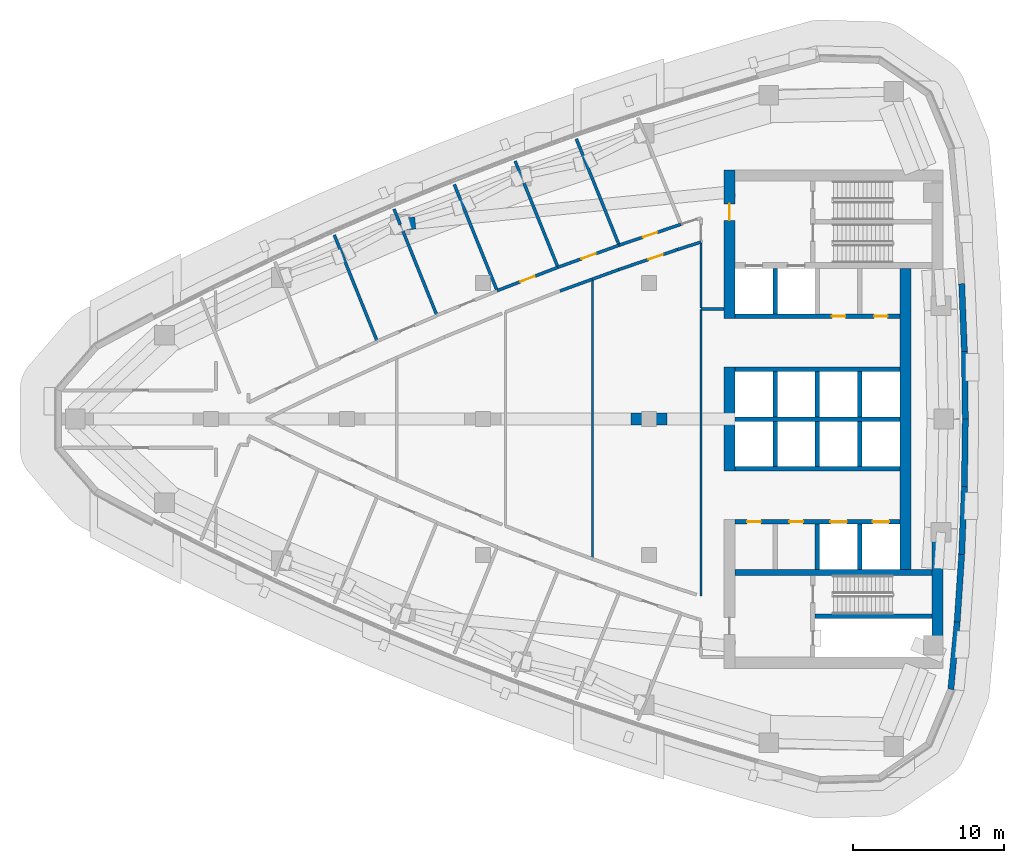
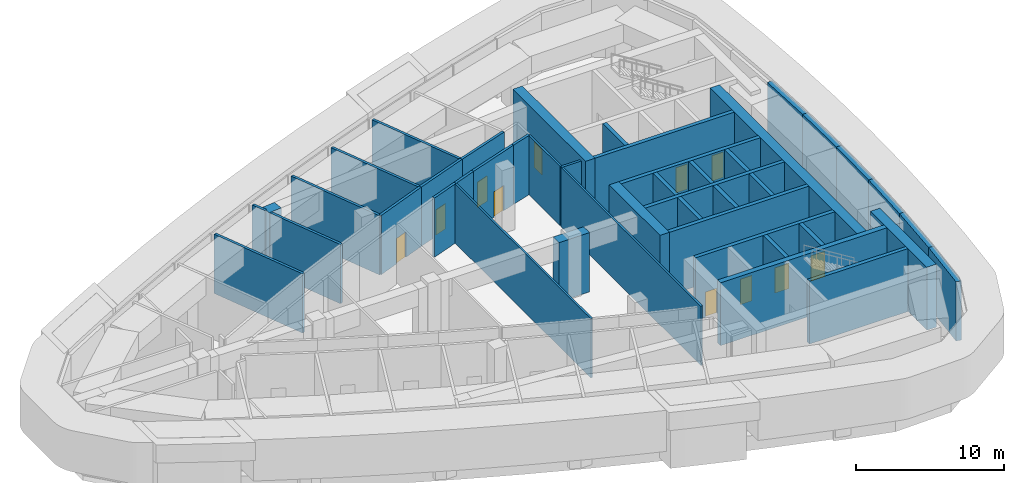
# One storey, part 11 of 17: 45 walls, 11 doors, 11 openings.
"""IFC4 building model written with IfcOpenShell, lengths in metres."""

from ifc_helpers import new_model, si_unit, direction, frame, frame_2d, origin, place, context, subcontext, project, spatial, polyline, rectangle, outline, extrude, material, layer, layer_set, type_object, element, fill, save


model = new_model("IFC4")

# Units and contexts
model_context = context("Model", 3, precision=1e-05, world=origin(), true_north=direction((0.0, 1.0)))
body_context = subcontext(model_context, "Body", "Model", "MODEL_VIEW")
ifc_project = project(units=[si_unit("LENGTHUNIT", "METRE"), si_unit("AREAUNIT", "SQUARE_METRE"), si_unit("VOLUMEUNIT", "CUBIC_METRE"), si_unit("PLANEANGLEUNIT", "RADIAN"), si_unit("MASSUNIT", "GRAM", prefix="KILO")], contexts=[model_context])

# Site, building, storey
site_placement = place(None, origin())
site = spatial("IfcSite", under=ifc_project, at=site_placement, CompositionType="ELEMENT")
building_placement = place(site_placement, origin())
building = spatial("IfcBuilding", under=site, at=building_placement, Name="Ostrand Prow Hotel Tower", CompositionType="ELEMENT")
storey_placement = place(building_placement, frame((0.0, 0.0, 211.0)))
storey = spatial("IfcBuildingStorey", under=building, at=storey_placement, Name="L53", CompositionType="ELEMENT", Elevation=211.0)

# Walls
ifc_material_1 = material(Name="Concrete C60/75", Category="concrete")
ifc_layer_1 = layer(ifc_material_1, 0.300048828125)
ifc_layer_set_1 = layer_set([ifc_layer_1], Name="Concrete C60/75")
wall_type_1 = type_object("IfcWallType", Name="Core wall 300 C60/75", PredefinedType="SHEAR", material=ifc_layer_set_1)
for number, where, z_axis, x_axis, name in (
    (1, (50.699951171875, 0.0, 0.0), (0.0, 0.0, 1.0), (1.0, 0.0, 0.0), "Core wall PW-C"),
    (2, (50.699951171875, 3.300048828125, 0.0), (0.0, 0.0, 1.0), (1.0, 0.0, 0.0), "Core wall PW-L1-N"),
):
    element("IfcWall", number, at=place(storey_placement, frame(where, z_axis=z_axis, x_axis=x_axis)), inside=storey, type_object=wall_type_1, Name=name, PredefinedType="SHEAR", context=body_context, shape_type="SweptSolid", body=[
        extrude(rectangle(XDim=10.900146484375, YDim=0.300048828125, at=frame_2d((5.4501953125, 0.0))), origin(), (0.0, 0.0, 1.0), 5.199951171875),
    ])

# Wall, openings, doors
wall_1_placement = place(storey_placement, frame((50.699951171875, 6.800048828125, 0.0), z_axis=(0.0, 0.0, 1.0), x_axis=(1.0, 0.0, 0.0)))
wall_1 = element("IfcWall", 3, at=wall_1_placement, inside=storey, type_object=wall_type_1, Name="Core wall PW-L2-N", PredefinedType="SHEAR", context=body_context, shape_type="SweptSolid", body=[
    extrude(rectangle(XDim=10.900146484375, YDim=0.300048828125, at=frame_2d((5.4501953125, 0.0))), origin(), (0.0, 0.0, 1.0), 5.199951171875),
])
opening_1_placement = place(wall_1_placement, frame((6.39990234375, 0.0, 0.0)))
opening_1 = element("IfcOpeningElement", 4, at=opening_1_placement, cuts=wall_1, Name="Opening FD2", PredefinedType="OPENING", context=body_context, shape_type="SweptSolid", body=[
    extrude(rectangle(XDim=0.89990234375, YDim=2.10009765625, at=frame_2d((0.449951171875, 1.050048828125))), frame((0.0, 0.159912109375, 0.0), z_axis=(0.0, -1.0, 0.0), x_axis=(1.0, 0.0, 0.0)), (0.0, 0.0, 1.0), 0.320068359375),
])
opening_2_placement = place(wall_1_placement, frame((9.199951171875, 0.0, 0.0)))
opening_2 = element("IfcOpeningElement", 5, at=opening_2_placement, cuts=wall_1, Name="Opening FD2", PredefinedType="OPENING", context=body_context, shape_type="SweptSolid", body=[
    extrude(rectangle(XDim=0.89990234375, YDim=2.10009765625, at=frame_2d((0.449951171875, 1.050048828125))), frame((0.0, 0.159912109375, 0.0), z_axis=(0.0, -1.0, 0.0), x_axis=(1.0, 0.0, 0.0)), (0.0, 0.0, 1.0), 0.320068359375),
])
ifc_material_2 = material(Name="Steel fire door", Category="steel")
door_type_1 = type_object("IfcDoorType", Name="Fire door 900 EI120", OperationType="SINGLE_SWING_LEFT", PredefinedType="DOOR", material=ifc_material_2)
door_1_placement = place(opening_1_placement, origin())
door_1 = element("IfcDoor", 6, at=door_1_placement, inside=storey, type_object=door_type_1, Name="DOOR", OperationType="SINGLE_SWING_LEFT", OverallHeight=2.10009765625, OverallWidth=0.89990234375, PredefinedType="DOOR", context=body_context, shape_type="SweptSolid", body=[
    extrude(rectangle(XDim=0.89990234375, YDim=2.10009765625, at=frame_2d((0.449951171875, 1.050048828125))), frame((0.0, 0.02490234375, 0.0), z_axis=(0.0, -1.0, 0.0), x_axis=(1.0, 0.0, 0.0)), (0.0, 0.0, 1.0), 0.050048828125),
])
fill(opening_1, door_1)
door_2_placement = place(opening_2_placement, origin())
door_2 = element("IfcDoor", 7, at=door_2_placement, inside=storey, type_object=door_type_1, Name="DOOR", OperationType="SINGLE_SWING_LEFT", OverallHeight=2.10009765625, OverallWidth=0.89990234375, PredefinedType="DOOR", context=body_context, shape_type="SweptSolid", body=[
    extrude(rectangle(XDim=0.89990234375, YDim=2.10009765625, at=frame_2d((0.449951171875, 1.050048828125))), frame((0.0, 0.02490234375, 0.0), z_axis=(0.0, -1.0, 0.0), x_axis=(1.0, 0.0, 0.0)), (0.0, 0.0, 1.0), 0.050048828125),
])
fill(opening_2, door_2)

# Walls
for number, where, z_axis, x_axis, name in (
    (8, (53.35009765625, 0.14990234375, 0.0), (0.0, 0.0, 1.0), (0.0, 1.0, 0.0), "Core wall PW-R1-NB"),
    (9, (53.35009765625, 6.949951171875, 0.0), (0.0, 0.0, 1.0), (0.0, 1.0, 0.0), "Core wall PW-R1-NA"),
    (10, (56.14990234375, 0.14990234375, 0.0), (0.0, 0.0, 1.0), (0.0, 1.0, 0.0), "Core wall PW-R2-NB"),
    (11, (58.949951171875, 0.14990234375, 0.0), (0.0, 0.0, 1.0), (0.0, 1.0, 0.0), "Core wall PW-R3-NB"),
):
    element("IfcWall", number, at=place(storey_placement, frame(where, z_axis=z_axis, x_axis=x_axis)), inside=storey, type_object=wall_type_1, Name=name, PredefinedType="SHEAR", context=body_context, shape_type="SweptSolid", body=[
        extrude(rectangle(XDim=3.0, YDim=0.300048828125, at=frame_2d((1.5, 0.0))), origin(), (0.0, 0.0, 1.0), 5.199951171875),
    ])
wall_2_placement = place(storey_placement, frame((50.699951171875, -3.300048828125, 0.0), z_axis=(0.0, 0.0, 1.0), x_axis=(1.0, 0.0, 0.0)))
element("IfcWall", 12, at=wall_2_placement, inside=storey, type_object=wall_type_1, Name="Core wall PW-L1-S", PredefinedType="SHEAR", context=body_context, shape_type="SweptSolid", body=[
    extrude(rectangle(XDim=10.900146484375, YDim=0.300048828125, at=frame_2d((5.4501953125, 0.0))), origin(), (0.0, 0.0, 1.0), 5.199951171875),
])

# Wall, openings, doors
wall_3_placement = place(storey_placement, frame((50.699951171875, -6.800048828125, 0.0), z_axis=(0.0, 0.0, 1.0), x_axis=(1.0, 0.0, 0.0)))
wall_3 = element("IfcWall", 13, at=wall_3_placement, inside=storey, type_object=wall_type_1, Name="Core wall PW-L2-S", PredefinedType="SHEAR", context=body_context, shape_type="SweptSolid", body=[
    extrude(rectangle(XDim=10.900146484375, YDim=0.300048828125, at=frame_2d((5.4501953125, 0.0))), origin(), (0.0, 0.0, 1.0), 5.199951171875),
])
opening_3_placement = place(wall_3_placement, frame((6.300048828125, 0.0, 0.0)))
opening_3 = element("IfcOpeningElement", 14, at=opening_3_placement, cuts=wall_3, Name="Opening LD", PredefinedType="OPENING", context=body_context, shape_type="SweptSolid", body=[
    extrude(rectangle(XDim=1.10009765625, YDim=2.10009765625, at=frame_2d((0.550048828125, 1.050048828125))), frame((0.0, 0.159912109375, 0.0), z_axis=(0.0, -1.0, 0.0), x_axis=(1.0, 0.0, 0.0)), (0.0, 0.0, 1.0), 0.320068359375),
])
opening_4_placement = place(wall_3_placement, frame((9.10009765625, 0.0, 0.0)))
opening_4 = element("IfcOpeningElement", 15, at=opening_4_placement, cuts=wall_3, Name="Opening LD", PredefinedType="OPENING", context=body_context, shape_type="SweptSolid", body=[
    extrude(rectangle(XDim=1.10009765625, YDim=2.10009765625, at=frame_2d((0.550048828125, 1.050048828125))), frame((0.0, 0.159912109375, 0.0), z_axis=(0.0, -1.0, 0.0), x_axis=(1.0, 0.0, 0.0)), (0.0, 0.0, 1.0), 0.320068359375),
])
opening_5_placement = place(wall_3_placement, frame((0.800048828125, 0.0, 0.0)))
opening_5 = element("IfcOpeningElement", 16, at=opening_5_placement, cuts=wall_3, Name="Opening FD2", PredefinedType="OPENING", context=body_context, shape_type="SweptSolid", body=[
    extrude(rectangle(XDim=0.89990234375, YDim=2.10009765625, at=frame_2d((0.449951171875, 1.050048828125))), frame((0.0, 0.159912109375, 0.0), z_axis=(0.0, -1.0, 0.0), x_axis=(1.0, 0.0, 0.0)), (0.0, 0.0, 1.0), 0.320068359375),
])
opening_6_placement = place(wall_3_placement, frame((3.60009765625, 0.0, 0.0)))
opening_6 = element("IfcOpeningElement", 17, at=opening_6_placement, cuts=wall_3, Name="Opening FD2", PredefinedType="OPENING", context=body_context, shape_type="SweptSolid", body=[
    extrude(rectangle(XDim=0.89990234375, YDim=2.10009765625, at=frame_2d((0.449951171875, 1.050048828125))), frame((0.0, 0.159912109375, 0.0), z_axis=(0.0, -1.0, 0.0), x_axis=(1.0, 0.0, 0.0)), (0.0, 0.0, 1.0), 0.320068359375),
])
door_3_placement = place(opening_5_placement, origin())
door_3 = element("IfcDoor", 18, at=door_3_placement, inside=storey, type_object=door_type_1, Name="DOOR", OperationType="SINGLE_SWING_LEFT", OverallHeight=2.10009765625, OverallWidth=0.89990234375, PredefinedType="DOOR", context=body_context, shape_type="SweptSolid", body=[
    extrude(rectangle(XDim=0.89990234375, YDim=2.10009765625, at=frame_2d((0.449951171875, 1.050048828125))), frame((0.0, 0.02490234375, 0.0), z_axis=(0.0, -1.0, 0.0), x_axis=(1.0, 0.0, 0.0)), (0.0, 0.0, 1.0), 0.050048828125),
])
fill(opening_5, door_3)
door_4_placement = place(opening_6_placement, origin())
door_4 = element("IfcDoor", 19, at=door_4_placement, inside=storey, type_object=door_type_1, Name="DOOR", OperationType="SINGLE_SWING_LEFT", OverallHeight=2.10009765625, OverallWidth=0.89990234375, PredefinedType="DOOR", context=body_context, shape_type="SweptSolid", body=[
    extrude(rectangle(XDim=0.89990234375, YDim=2.10009765625, at=frame_2d((0.449951171875, 1.050048828125))), frame((0.0, 0.02490234375, 0.0), z_axis=(0.0, -1.0, 0.0), x_axis=(1.0, 0.0, 0.0)), (0.0, 0.0, 1.0), 0.050048828125),
])
fill(opening_6, door_4)
ifc_material_3 = material(Name="Stainless steel door", Category="steel")
door_type_2 = type_object("IfcDoorType", Name="Lift landing door 1100", OperationType="DOUBLE_DOOR_SLIDING", PredefinedType="DOOR", material=ifc_material_3)
door_5_placement = place(opening_3_placement, origin())
door_5 = element("IfcDoor", 20, at=door_5_placement, inside=storey, type_object=door_type_2, Name="LIFT LANDING DOOR", OperationType="DOUBLE_DOOR_SLIDING", OverallHeight=2.10009765625, OverallWidth=1.10009765625, PredefinedType="DOOR", context=body_context, shape_type="SweptSolid", body=[
    extrude(rectangle(XDim=1.10009765625, YDim=2.10009765625, at=frame_2d((0.550048828125, 1.050048828125))), frame((0.0, 0.02490234375, 0.0), z_axis=(0.0, -1.0, 0.0), x_axis=(1.0, 0.0, 0.0)), (0.0, 0.0, 1.0), 0.050048828125),
])
fill(opening_3, door_5)
door_6_placement = place(opening_4_placement, origin())
door_6 = element("IfcDoor", 21, at=door_6_placement, inside=storey, type_object=door_type_2, Name="LIFT LANDING DOOR", OperationType="DOUBLE_DOOR_SLIDING", OverallHeight=2.10009765625, OverallWidth=1.10009765625, PredefinedType="DOOR", context=body_context, shape_type="SweptSolid", body=[
    extrude(rectangle(XDim=1.10009765625, YDim=2.10009765625, at=frame_2d((0.550048828125, 1.050048828125))), frame((0.0, 0.02490234375, 0.0), z_axis=(0.0, -1.0, 0.0), x_axis=(1.0, 0.0, 0.0)), (0.0, 0.0, 1.0), 0.050048828125),
])
fill(opening_4, door_6)

# Walls
for number, where, z_axis, x_axis, name in (
    (22, (53.35009765625, -3.14990234375, 0.0), (0.0, 0.0, 1.0), (0.0, 1.0, 0.0), "Core wall PW-R1-SB"),
    (23, (56.14990234375, -3.14990234375, 0.0), (0.0, 0.0, 1.0), (0.0, 1.0, 0.0), "Core wall PW-R2-SB"),
    (24, (56.14990234375, -9.949951171875, 0.0), (0.0, 0.0, 1.0), (0.0, 1.0, 0.0), "Core wall PW-R2-SA"),
    (25, (58.949951171875, -3.14990234375, 0.0), (0.0, 0.0, 1.0), (0.0, 1.0, 0.0), "Core wall PW-R3-SB"),
    (26, (58.949951171875, -9.949951171875, 0.0), (0.0, 0.0, 1.0), (0.0, 1.0, 0.0), "Core wall PW-R3-SA"),
):
    element("IfcWall", number, at=place(storey_placement, frame(where, z_axis=z_axis, x_axis=x_axis)), inside=storey, type_object=wall_type_1, Name=name, PredefinedType="SHEAR", context=body_context, shape_type="SweptSolid", body=[
        extrude(rectangle(XDim=3.0, YDim=0.300048828125, at=frame_2d((1.5, 0.0))), origin(), (0.0, 0.0, 1.0), 5.199951171875),
    ])
wall_4_placement = place(storey_placement, frame((56.0, -13.050048828125, 0.0), z_axis=(0.0, 0.0, 1.0), x_axis=(1.0, 0.0, 0.0)))
element("IfcWall", 27, at=wall_4_placement, inside=storey, type_object=wall_type_1, Name="Core wall PW-ST2R", PredefinedType="SHEAR", context=body_context, shape_type="SweptSolid", body=[
    extrude(rectangle(XDim=7.719970703125, YDim=0.300048828125, at=frame_2d((3.85986328125, 0.0))), origin(), (0.0, 0.0, 1.0), 5.199951171875),
])
ifc_material_4 = material(Name="Concrete C60/75", Category="concrete")
ifc_layer_2 = layer(ifc_material_4, 0.39990234375)
ifc_layer_set_2 = layer_set([ifc_layer_2], Name="Concrete C60/75")
wall_type_2 = type_object("IfcWallType", Name="Core wall 400 C60/75", PredefinedType="SHEAR", material=ifc_layer_set_2)
wall_5_placement = place(storey_placement, frame((50.699951171875, -10.14990234375, 0.0), z_axis=(0.0, 0.0, 1.0), x_axis=(1.0, 0.0, 0.0)))
element("IfcWall", 28, at=wall_5_placement, inside=storey, type_object=wall_type_2, Name="Core wall PW-BS", PredefinedType="SHEAR", context=body_context, shape_type="SweptSolid", body=[
    extrude(rectangle(XDim=13.02001953125, YDim=0.39990234375, at=frame_2d((6.510009765625, 0.0))), origin(), (0.0, 0.0, 1.0), 5.199951171875),
])

# Wall, opening, door
ifc_material_5 = material(Name="Concrete C60/75", Category="concrete")
ifc_layer_3 = layer(ifc_material_5, 0.75)
ifc_layer_set_3 = layer_set([ifc_layer_3], Name="Concrete C60/75")
wall_type_3 = type_object("IfcWallType", Name="Core wall 750 C60/75", PredefinedType="SHEAR", material=ifc_layer_set_3)
wall_6_placement = place(storey_placement, frame((50.324951171875, 6.64990234375, 0.0), z_axis=(0.0, 0.0, 1.0), x_axis=(0.0, 1.0, 0.0)))
wall_6 = element("IfcWall", 29, at=wall_6_placement, inside=storey, type_object=wall_type_3, Name="Core wall CW-W-N", PredefinedType="SHEAR", context=body_context, shape_type="SweptSolid", body=[
    extrude(rectangle(XDim=9.85009765625, YDim=0.75, at=frame_2d((4.925048828125, 0.0))), origin(), (0.0, 0.0, 1.0), 5.199951171875),
])
opening_7_placement = place(wall_6_placement, frame((6.5, 0.0, 0.0)))
opening_7 = element("IfcOpeningElement", 30, at=opening_7_placement, cuts=wall_6, Name="Opening FD1", PredefinedType="OPENING", context=body_context, shape_type="SweptSolid", body=[
    extrude(rectangle(XDim=1.10009765625, YDim=2.10009765625, at=frame_2d((0.550048828125, 1.050048828125))), frame((0.0, 0.385009765625, 0.0), z_axis=(0.0, -1.0, 0.0), x_axis=(1.0, 0.0, 0.0)), (0.0, 0.0, 1.0), 0.77001953125),
])
ifc_material_6 = material(Name="Steel fire door", Category="steel")
door_type_3 = type_object("IfcDoorType", Name="Fire door 1100 EI120", OperationType="SINGLE_SWING_RIGHT", PredefinedType="DOOR", material=ifc_material_6)
door_7_placement = place(opening_7_placement, origin())
door_7 = element("IfcDoor", 31, at=door_7_placement, inside=storey, type_object=door_type_3, Name="FIRE DOOR", OperationType="SINGLE_SWING_RIGHT", OverallHeight=2.10009765625, OverallWidth=1.10009765625, PredefinedType="DOOR", context=body_context, shape_type="SweptSolid", body=[
    extrude(rectangle(XDim=1.10009765625, YDim=2.10009765625, at=frame_2d((0.550048828125, 1.050048828125))), frame((0.0, 0.02490234375, 0.0), z_axis=(0.0, -1.0, 0.0), x_axis=(1.0, 0.0, 0.0)), (0.0, 0.0, 1.0), 0.050048828125),
])
fill(opening_7, door_7)

# Walls
wall_7_placement = place(storey_placement, frame((50.324951171875, -3.449951171875, 0.0), z_axis=(0.0, 0.0, 1.0), x_axis=(0.0, 1.0, 0.0)))
element("IfcWall", 32, at=wall_7_placement, inside=storey, type_object=wall_type_3, Name="Core wall CW-W-C", PredefinedType="SHEAR", context=body_context, shape_type="SweptSolid", body=[
    extrude(rectangle(XDim=6.89990234375, YDim=0.75, at=frame_2d((3.449951171875, 0.0))), origin(), (0.0, 0.0, 1.0), 5.199951171875),
])
wall_8_placement = place(storey_placement, frame((64.094970703125, -15.75, 0.0), z_axis=(0.0, 0.0, 1.0), x_axis=(0.0, 1.0, 0.0)))
element("IfcWall", 33, at=wall_8_placement, inside=storey, type_object=wall_type_3, Name="Core wall CW-E-S", PredefinedType="SHEAR", context=body_context, shape_type="SweptSolid", body=[
    extrude(rectangle(XDim=7.65087890625, YDim=0.75, at=frame_2d((3.825439453125, 0.0))), origin(), (0.0, 0.0, 1.0), 5.199951171875),
])
wall_9_placement = place(storey_placement, frame((61.97509765625, -9.949951171875, 0.0), z_axis=(0.0, 0.0, 1.0), x_axis=(0.0, 1.0, 0.0)))
element("IfcWall", 34, at=wall_9_placement, inside=storey, type_object=wall_type_3, Name="Core wall CW-E-C", PredefinedType="SHEAR", context=body_context, shape_type="SweptSolid", body=[
    extrude(rectangle(XDim=19.89990234375, YDim=0.75, at=frame_2d((9.949951171875, 0.0))), origin(), (0.0, 0.0, 1.0), 5.199951171875),
])
ifc_material_7 = material(Name="Concrete C60/75", Category="concrete")
ifc_layer_4 = layer(ifc_material_7, 0.800048828125)
ifc_layer_set_4 = layer_set([ifc_layer_4], Name="Concrete C60/75")
wall_type_4 = type_object("IfcWallType", Name="Outrigger wall 800 C60/75", PredefinedType="SHEAR", material=ifc_layer_set_4)
wall_10_placement = place(storey_placement, frame((43.800048828125, 0.0, 0.0), z_axis=(0.0, 0.0, 1.0), x_axis=(1.0, 0.0, 0.0)))
element("IfcWall", 35, at=wall_10_placement, inside=storey, type_object=wall_type_4, Name="Outrigger wall A5", PredefinedType="SHEAR", context=body_context, shape_type="SweptSolid", body=[
    extrude(rectangle(XDim=2.39990234375, YDim=0.800048828125, at=frame_2d((1.199951171875, 0.0))), origin(), (0.0, 0.0, 1.0), 4.89990234375),
])
wall_11_placement = place(storey_placement, frame((29.529541015625, 12.97607421875, 0.0), z_axis=(0.0, 0.0, 1.0), x_axis=(-0.9951978007, -0.097884306618, 0.0)))
element("IfcWall", 36, at=wall_11_placement, inside=storey, type_object=wall_type_4, Name="Outrigger wall DN2", PredefinedType="SHEAR", context=body_context, shape_type="SweptSolid", body=[
    extrude(rectangle(XDim=1.000244140625, YDim=0.800048828125, at=frame_2d((0.5, 0.0))), origin(), (0.0, 0.0, 1.0), 4.89990234375),
])
ifc_material_8 = material(Name="Plasterboard partition")
ifc_layer_5 = layer(ifc_material_8, 0.14990234375)
ifc_layer_set_5 = layer_set([ifc_layer_5], Name="Plasterboard partition")
wall_type_5 = type_object("IfcWallType", Name="Partition 150 room partition", PredefinedType="PARTITIONING", material=ifc_layer_set_5)
wall_12_placement = place(storey_placement, frame((41.25439453125, -9.2578125, 0.0), z_axis=(0.0, 0.0, 1.0), x_axis=(0.0, 1.0, 0.0)))
element("IfcWall", 37, at=wall_12_placement, inside=storey, type_object=wall_type_5, Name="ROOM PARTITION", PredefinedType="PARTITIONING", context=body_context, shape_type="SweptSolid", body=[
    extrude(rectangle(XDim=18.515625, YDim=0.14990234375, at=frame_2d((9.2578125, 0.0))), origin(), (0.0, 0.0, 1.0), 4.89990234375),
])
wall_13_placement = place(storey_placement, frame((48.445068359375, 11.6455078125, 0.0), z_axis=(0.0, 0.0, 1.0), x_axis=(0.0, -1.0, 0.0)))
element("IfcWall", 38, at=wall_13_placement, inside=storey, type_object=wall_type_5, Name="ROOM PARTITION", PredefinedType="PARTITIONING", context=body_context, shape_type="SweptSolid", body=[
    extrude(rectangle(XDim=4.305908203125, YDim=0.14990234375, at=frame_2d((2.15283203125, 0.0))), origin(), (0.0, 0.0, 1.0), 4.89990234375),
])
wall_14_placement = place(storey_placement, frame((48.445068359375, 7.260498046875, 0.0), z_axis=(0.0, 0.0, 1.0), x_axis=(0.0, -1.0, 0.0)))
element("IfcWall", 39, at=wall_14_placement, inside=storey, type_object=wall_type_5, Name="ROOM PARTITION", PredefinedType="PARTITIONING", context=body_context, shape_type="SweptSolid", body=[
    extrude(rectangle(XDim=18.970458984375, YDim=0.14990234375, at=frame_2d((9.4853515625, 0.0))), origin(), (0.0, 0.0, 1.0), 4.89990234375),
])

# Wall, opening, door
ifc_material_9 = material(Name="Plasterboard partition")
ifc_layer_6 = layer(ifc_material_9, 0.199951171875)
ifc_layer_set_6 = layer_set([ifc_layer_6], Name="Plasterboard partition")
wall_type_6 = type_object("IfcWallType", Name="Partition 200 corridor wall", PredefinedType="PARTITIONING", material=ifc_layer_set_6)
wall_15_placement = place(storey_placement, frame((38.972412109375, 10.044921875, 0.0), z_axis=(0.0, 0.0, 1.0), x_axis=(-0.93335728106, -0.358948723208, 0.0)))
wall_15 = element("IfcWall", 40, at=wall_15_placement, inside=storey, type_object=wall_type_6, Name="CORRIDOR WALL", PredefinedType="PARTITIONING", context=body_context, shape_type="SweptSolid", body=[
    extrude(rectangle(XDim=4.3115234375, YDim=0.199951171875, at=frame_2d((2.15576171875, 0.0))), origin(), (0.0, 0.0, 1.0), 4.89990234375),
])
opening_8_placement = place(wall_15_placement, frame((1.65576171875, 0.0, 0.0)))
opening_8 = element("IfcOpeningElement", 41, at=opening_8_placement, cuts=wall_15, Name="Opening D1", PredefinedType="OPENING", context=body_context, shape_type="SweptSolid", body=[
    extrude(rectangle(XDim=1.0, YDim=2.10009765625, at=frame_2d((0.5, 1.050048828125))), frame((0.0, 0.10986328125, 0.0), z_axis=(0.0, -1.0, 0.0), x_axis=(1.0, 0.0, 0.0)), (0.0, 0.0, 1.0), 0.219970703125),
])
ifc_material_10 = material(Name="Timber door leaf", Category="wood")
door_type_4 = type_object("IfcDoorType", Name="Guest room door 1000", OperationType="SINGLE_SWING_LEFT", PredefinedType="DOOR", material=ifc_material_10)
door_8_placement = place(opening_8_placement, origin())
door_8 = element("IfcDoor", 42, at=door_8_placement, inside=storey, type_object=door_type_4, Name="DOOR", OperationType="SINGLE_SWING_LEFT", OverallHeight=2.10009765625, OverallWidth=1.0, PredefinedType="DOOR", context=body_context, shape_type="SweptSolid", body=[
    extrude(rectangle(XDim=1.0, YDim=2.10009765625, at=frame_2d((0.5, 1.050048828125))), frame((0.0, 0.02490234375, 0.0), z_axis=(0.0, -1.0, 0.0), x_axis=(1.0, 0.0, 0.0)), (0.0, 0.0, 1.0), 0.050048828125),
])
fill(opening_8, door_8)

wall_16_placement = place(storey_placement, frame((43.02587890625, 11.50732421875, 0.0), z_axis=(0.0, 0.0, 1.0), x_axis=(-0.940653905433, -0.339367397069, 0.0)))
wall_16 = element("IfcWall", 43, at=wall_16_placement, inside=storey, type_object=wall_type_6, Name="CORRIDOR WALL", PredefinedType="PARTITIONING", context=body_context, shape_type="SweptSolid", body=[
    extrude(rectangle(XDim=4.30908203125, YDim=0.199951171875, at=frame_2d((2.154541015625, 0.0))), origin(), (0.0, 0.0, 1.0), 4.89990234375),
])
opening_9_placement = place(wall_16_placement, frame((1.65478515625, 0.0, 0.0)))
opening_9 = element("IfcOpeningElement", 44, at=opening_9_placement, cuts=wall_16, Name="Opening D1R", PredefinedType="OPENING", context=body_context, shape_type="SweptSolid", body=[
    extrude(rectangle(XDim=1.0, YDim=2.10009765625, at=frame_2d((0.5, 1.050048828125))), frame((0.0, 0.10986328125, 0.0), z_axis=(0.0, -1.0, 0.0), x_axis=(1.0, 0.0, 0.0)), (0.0, 0.0, 1.0), 0.219970703125),
])
ifc_material_11 = material(Name="Timber door leaf", Category="wood")
door_type_5 = type_object("IfcDoorType", Name="Guest room door 1000 right", OperationType="SINGLE_SWING_RIGHT", PredefinedType="DOOR", material=ifc_material_11)
door_9_placement = place(opening_9_placement, origin())
door_9 = element("IfcDoor", 45, at=door_9_placement, inside=storey, type_object=door_type_5, Name="DOOR", OperationType="SINGLE_SWING_RIGHT", OverallHeight=2.10009765625, OverallWidth=1.0, PredefinedType="DOOR", context=body_context, shape_type="SweptSolid", body=[
    extrude(rectangle(XDim=1.0, YDim=2.10009765625, at=frame_2d((0.5, 1.050048828125))), frame((0.0, 0.02490234375, 0.0), z_axis=(0.0, -1.0, 0.0), x_axis=(1.0, 0.0, 0.0)), (0.0, 0.0, 1.0), 0.050048828125),
])
fill(opening_9, door_9)

wall_17_placement = place(storey_placement, frame((47.11328125, 12.885986328125, 0.0), z_axis=(0.0, 0.0, 1.0), x_axis=(-0.947550995841, -0.319604615549, 0.0)))
wall_17 = element("IfcWall", 46, at=wall_17_placement, inside=storey, type_object=wall_type_6, Name="CORRIDOR WALL", PredefinedType="PARTITIONING", context=body_context, shape_type="SweptSolid", body=[
    extrude(rectangle(XDim=4.313720703125, YDim=0.199951171875, at=frame_2d((2.15673828125, 0.0))), origin(), (0.0, 0.0, 1.0), 4.89990234375),
])
opening_10_placement = place(wall_17_placement, frame((1.65673828125, 0.0, 0.0)))
opening_10 = element("IfcOpeningElement", 47, at=opening_10_placement, cuts=wall_17, Name="Opening D1", PredefinedType="OPENING", context=body_context, shape_type="SweptSolid", body=[
    extrude(rectangle(XDim=1.0, YDim=2.10009765625, at=frame_2d((0.5, 1.050048828125))), frame((0.0, 0.10986328125, 0.0), z_axis=(0.0, -1.0, 0.0), x_axis=(1.0, 0.0, 0.0)), (0.0, 0.0, 1.0), 0.219970703125),
])
door_10_placement = place(opening_10_placement, origin())
door_10 = element("IfcDoor", 48, at=door_10_placement, inside=storey, type_object=door_type_4, Name="DOOR", OperationType="SINGLE_SWING_LEFT", OverallHeight=2.10009765625, OverallWidth=1.0, PredefinedType="DOOR", context=body_context, shape_type="SweptSolid", body=[
    extrude(rectangle(XDim=1.0, YDim=2.10009765625, at=frame_2d((0.5, 1.050048828125))), frame((0.0, 0.02490234375, 0.0), z_axis=(0.0, -1.0, 0.0), x_axis=(1.0, 0.0, 0.0)), (0.0, 0.0, 1.0), 0.050048828125),
])
fill(opening_10, door_10)

# Wall
wall_18_placement = place(storey_placement, frame((39.115478515625, 8.4794921875, 0.0), z_axis=(0.0, 0.0, 1.0), x_axis=(0.939718239397, 0.341949748567, 0.0)))
element("IfcWall", 49, at=wall_18_placement, inside=storey, type_object=wall_type_6, Name="CORRIDOR WALL", PredefinedType="PARTITIONING", context=body_context, shape_type="SweptSolid", body=[
    extrude(rectangle(XDim=2.276123046875, YDim=0.199951171875, at=frame_2d((1.13818359375, 0.0))), origin(), (0.0, 0.0, 1.0), 4.89990234375),
])

# Wall, opening, door
wall_19_placement = place(storey_placement, frame((42.984375, 9.88720703125, 0.0), z_axis=(0.0, 0.0, 1.0), x_axis=(0.946436071896, 0.322891253852, 0.0)))
wall_19 = element("IfcWall", 50, at=wall_19_placement, inside=storey, type_object=wall_type_6, Name="CORRIDOR WALL", PredefinedType="PARTITIONING", context=body_context, shape_type="SweptSolid", body=[
    extrude(rectangle(XDim=4.116943359375, YDim=0.199951171875, at=frame_2d((2.05859375, 0.0))), origin(), (0.0, 0.0, 1.0), 4.89990234375),
])
opening_11_placement = place(wall_19_placement, frame((2.10009765625, 0.0, 0.0)))
opening_11 = element("IfcOpeningElement", 51, at=opening_11_placement, cuts=wall_19, Name="Opening D1R", PredefinedType="OPENING", context=body_context, shape_type="SweptSolid", body=[
    extrude(rectangle(XDim=1.0, YDim=2.10009765625, at=frame_2d((0.5, 1.050048828125))), frame((0.0, 0.10986328125, 0.0), z_axis=(0.0, -1.0, 0.0), x_axis=(1.0, 0.0, 0.0)), (0.0, 0.0, 1.0), 0.219970703125),
])
door_11_placement = place(opening_11_placement, origin())
door_11 = element("IfcDoor", 52, at=door_11_placement, inside=storey, type_object=door_type_5, Name="DOOR", OperationType="SINGLE_SWING_RIGHT", OverallHeight=2.10009765625, OverallWidth=1.0, PredefinedType="DOOR", context=body_context, shape_type="SweptSolid", body=[
    extrude(rectangle(XDim=1.0, YDim=2.10009765625, at=frame_2d((0.5, 1.050048828125))), frame((0.0, 0.02490234375, 0.0), z_axis=(0.0, -1.0, 0.0), x_axis=(1.0, 0.0, 0.0)), (0.0, 0.0, 1.0), 0.050048828125),
])
fill(opening_11, door_11)

# Walls
wall_20_placement = place(storey_placement, frame((46.880859375, 11.216552734375, 0.0), z_axis=(0.0, 0.0, 1.0), x_axis=(0.952752350741, 0.303748182148, 0.0)))
element("IfcWall", 53, at=wall_20_placement, inside=storey, type_object=wall_type_6, Name="CORRIDOR WALL", PredefinedType="PARTITIONING", context=body_context, shape_type="SweptSolid", body=[
    extrude(rectangle(XDim=1.64697265625, YDim=0.199951171875, at=frame_2d((0.823486328125, 0.0))), origin(), (0.0, 0.0, 1.0), 4.89990234375),
])
wall_21_placement = place(storey_placement, frame((41.25439453125, 9.2578125, 0.0), z_axis=(0.0, 0.0, 1.0), x_axis=(0.939739202383, 0.341892134313, 0.0)))
element("IfcWall", 54, at=wall_21_placement, inside=storey, type_object=wall_type_6, Name="CORRIDOR WALL", PredefinedType="PARTITIONING", context=body_context, shape_type="SweptSolid", body=[
    extrude(rectangle(XDim=1.8408203125, YDim=0.199951171875, at=frame_2d((0.92041015625, 0.0))), origin(), (0.0, 0.0, 1.0), 4.89990234375),
])
ifc_material_12 = material(Name="Plasterboard partition")
ifc_layer_7 = layer(ifc_material_12, 0.199951171875)
ifc_layer_set_7 = layer_set([ifc_layer_7], Name="Plasterboard partition")
wall_type_7 = type_object("IfcWallType", Name="Partition 200 key partition", PredefinedType="PARTITIONING", material=ifc_layer_set_7)
wall_22_placement = place(storey_placement, frame((27.01171875, 5.1328125, 0.0), z_axis=(0.0, 0.0, 1.0), x_axis=(-0.373913547423, 0.927463562116, 0.0)))
element("IfcWall", 55, at=wall_22_placement, inside=storey, type_object=wall_type_7, Name="KEY PARTITION", PredefinedType="PARTITIONING", context=body_context, shape_type="SweptSolid", body=[
    extrude(rectangle(XDim=7.60400390625, YDim=0.199951171875, at=frame_2d((3.802001953125, 0.0))), origin(), (0.0, 0.0, 1.0), 4.89990234375),
])
wall_23_placement = place(storey_placement, frame((30.96533203125, 6.84765625, 0.0), z_axis=(0.0, 0.0, 1.0), x_axis=(-0.373872599967, 0.927480069324, 0.0)))
element("IfcWall", 56, at=wall_23_placement, inside=storey, type_object=wall_type_7, Name="KEY PARTITION", PredefinedType="PARTITIONING", context=body_context, shape_type="SweptSolid", body=[
    extrude(rectangle(XDim=6.08544921875, YDim=0.199951171875, at=frame_2d((3.042724609375, 0.0))), origin(), (0.0, 0.0, 1.0), 4.89990234375),
])
wall_24_placement = place(storey_placement, frame((28.5341796875, 12.878173828125, 0.0), z_axis=(0.0, 0.0, 1.0), x_axis=(-0.373727740677, 0.927538449795, 0.0)))
element("IfcWall", 57, at=wall_24_placement, inside=storey, type_object=wall_type_7, Name="KEY PARTITION", PredefinedType="PARTITIONING", context=body_context, shape_type="SweptSolid", body=[
    extrude(rectangle(XDim=1.09814453125, YDim=0.199951171875, at=frame_2d((0.549072265625, 0.0))), origin(), (0.0, 0.0, 1.0), 4.89990234375),
])
wall_25_placement = place(storey_placement, frame((34.955810546875, 8.478759765625, 0.0), z_axis=(0.0, 0.0, 1.0), x_axis=(-0.373881438439, 0.927476506436, 0.0)))
element("IfcWall", 58, at=wall_25_placement, inside=storey, type_object=wall_type_7, Name="KEY PARTITION", PredefinedType="PARTITIONING", context=body_context, shape_type="SweptSolid", body=[
    extrude(rectangle(XDim=7.600830078125, YDim=0.199951171875, at=frame_2d((3.80029296875, 0.0))), origin(), (0.0, 0.0, 1.0), 4.89990234375),
])
wall_26_placement = place(storey_placement, frame((38.979736328125, 10.0263671875, 0.0), z_axis=(0.0, 0.0, 1.0), x_axis=(-0.373863662938, 0.927483671843, 0.0)))
element("IfcWall", 59, at=wall_26_placement, inside=storey, type_object=wall_type_7, Name="KEY PARTITION", PredefinedType="PARTITIONING", context=body_context, shape_type="SweptSolid", body=[
    extrude(rectangle(XDim=7.6044921875, YDim=0.199951171875, at=frame_2d((3.80224609375, 0.0))), origin(), (0.0, 0.0, 1.0), 4.89990234375),
])
wall_27_placement = place(storey_placement, frame((43.033447265625, 11.48876953125, 0.0), z_axis=(0.0, 0.0, 1.0), x_axis=(-0.373877998371, 0.927477893178, 0.0)))
element("IfcWall", 60, at=wall_27_placement, inside=storey, type_object=wall_type_7, Name="KEY PARTITION", PredefinedType="PARTITIONING", context=body_context, shape_type="SweptSolid", body=[
    extrude(rectangle(XDim=7.611328125, YDim=0.199951171875, at=frame_2d((3.8056640625, 0.0))), origin(), (0.0, 0.0, 1.0), 4.89990234375),
])
ifc_material_13 = material(Name="Plasterboard partition")
ifc_layer_8 = layer(ifc_material_13, 0.199951171875)
ifc_layer_set_8 = layer_set([ifc_layer_8], Name="Plasterboard partition")
wall_type_8 = type_object("IfcWallType", Name="Partition 200 refuge wall", PredefinedType="PARTITIONING", material=ifc_layer_set_8)
wall_28_placement = place(storey_placement, frame((48.449951171875, 7.300048828125, 0.0), z_axis=(0.0, 0.0, 1.0), x_axis=(1.0, 0.0, 0.0)))
element("IfcWall", 61, at=wall_28_placement, inside=storey, type_object=wall_type_8, Name="REFUGE WALL", PredefinedType="PARTITIONING", context=body_context, shape_type="SweptSolid", body=[
    extrude(rectangle(XDim=1.5, YDim=0.199951171875, at=frame_2d((0.75, 0.0))), origin(), (0.0, 0.0, 1.0), 4.89990234375),
])
ifc_material_14 = material(Name="Precast concrete C40/50", Category="concrete")
ifc_layer_9 = layer(ifc_material_14, 0.39990234375)
ifc_layer_set_9 = layer_set([ifc_layer_9], Name="Precast concrete C40/50")
wall_type_9 = type_object("IfcWallType", Name="Stone-faced precast wall 400 mm", PredefinedType="NOTDEFINED", material=ifc_layer_set_9)
wall_29_placement = place(storey_placement, frame((64.981201171875, -17.889892578125, 0.0), z_axis=(0.0, 0.0, 1.0), x_axis=(0.093605694738, 0.995609348044, 0.0)))
element("IfcWall", 62, at=wall_29_placement, inside=storey, type_object=wall_type_9, Name="Stone-faced wall back 5", PredefinedType="NOTDEFINED", context=body_context, shape_type="SweptSolid", body=[
    extrude(outline(polyline([(-0.0302734375, -0.199951171875), (4.483642578125, -0.199951171875), (4.478271484375, 0.199951171875), (0.0302734375, 0.199951171875), (-0.0302734375, -0.199951171875)])), origin(), (0.0, 0.0, 1.0), 4.89990234375),
])
for number, where, z_axis, x_axis, name in (
    (63, (65.400634765625, -13.4287109375, 0.0), (0.0, 0.0, 1.0), (0.066905935948, 0.997759287471, 0.0), "Stone-faced wall back 6"),
    (64, (65.700439453125, -8.957763671875, 0.0), (0.0, 0.0, 1.0), (0.040155165338, 0.999193456092, 0.0), "Stone-faced wall back 7"),
    (65, (65.88037109375, -4.48046875, 0.0), (0.0, 0.0, 1.0), (0.013348854104, 0.999910900078, 0.0), "Stone-faced wall back 8"),
    (66, (65.940185546875, 0.0, 0.0), (0.0, 0.0, 1.0), (-0.013348854104, 0.999910900078, 0.0), "Stone-faced wall back 9"),
    (67, (65.88037109375, 4.48046875, 0.0), (0.0, 0.0, 1.0), (-0.040155165338, 0.999193456092, 0.0), "Stone-faced wall back 10"),
):
    element("IfcWall", number, at=place(storey_placement, frame(where, z_axis=z_axis, x_axis=x_axis)), inside=storey, type_object=wall_type_9, Name=name, PredefinedType="NOTDEFINED", context=body_context, shape_type="SweptSolid", body=[
        extrude(outline(polyline([(-0.002685546875, -0.199951171875), (4.483642578125, -0.199951171875), (4.478271484375, 0.199951171875), (0.002685546875, 0.199951171875), (-0.002685546875, -0.199951171875)])), origin(), (0.0, 0.0, 1.0), 4.89990234375),
    ])

save(model, "model.ifc")
